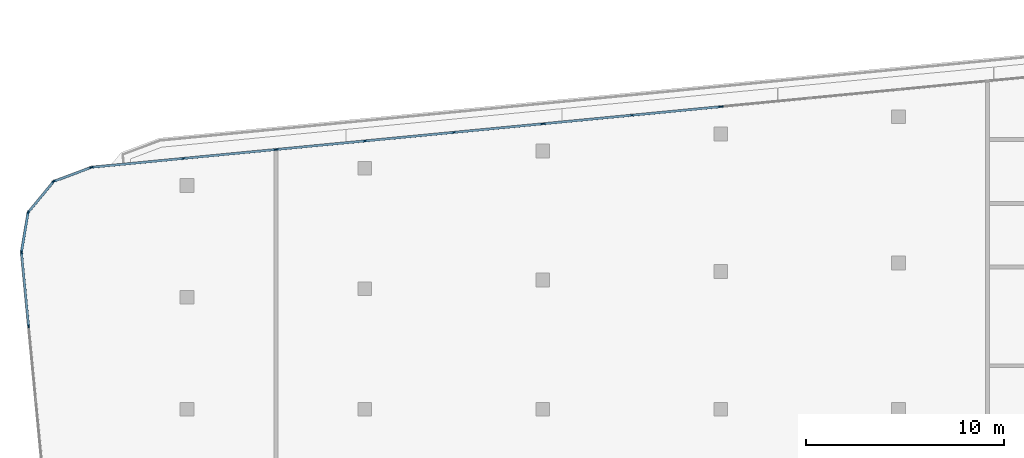
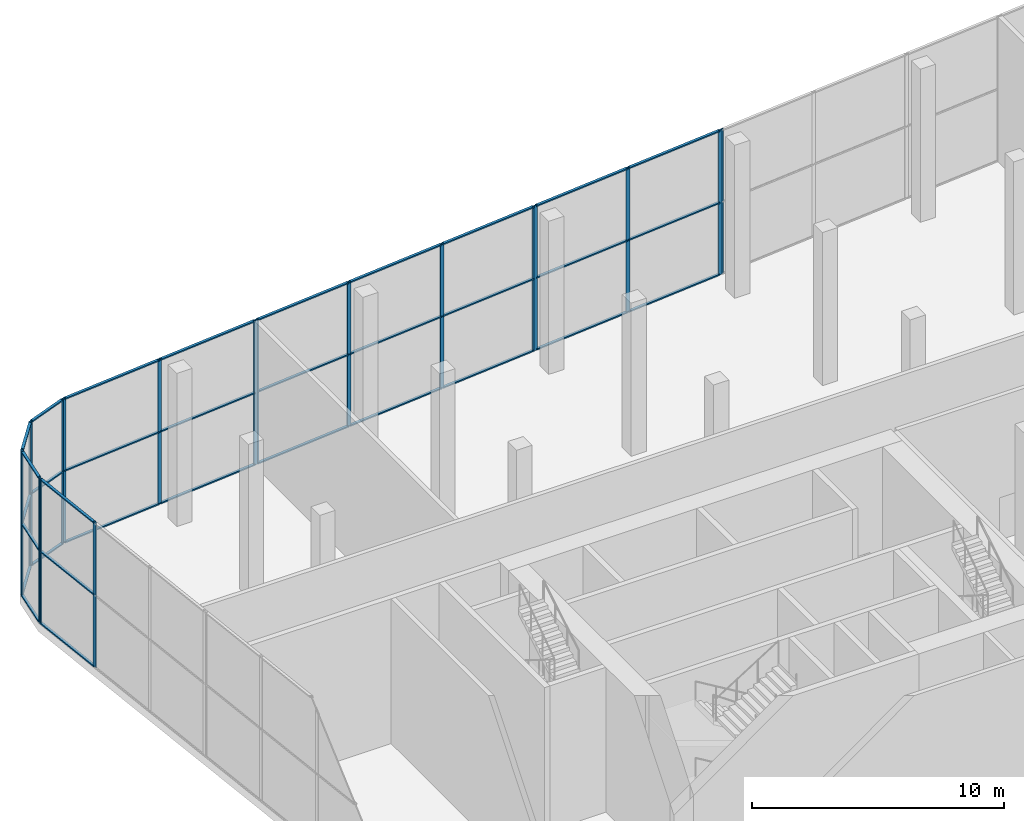
# One storey, part 5 of 25: 52 members, 8 elements without a shape of their own.
"""IFC4 building model written with IfcOpenShell, lengths in metres."""

from ifc_helpers import new_model, si_unit, direction, frame, origin, origin_2d, place, context, subcontext, project, spatial, rectangle, extrude, material, material_profile, profile_set, type_object, element, aggregate, save


model = new_model("IFC4")

# Units and contexts
model_context = context("Model", 3, precision=1e-05, world=origin(), true_north=direction((0.0, 1.0)))
body_context = subcontext(model_context, "Body", "Model", "MODEL_VIEW")
ifc_project = project(units=[si_unit("LENGTHUNIT", "METRE"), si_unit("AREAUNIT", "SQUARE_METRE"), si_unit("VOLUMEUNIT", "CUBIC_METRE"), si_unit("PLANEANGLEUNIT", "RADIAN"), si_unit("MASSUNIT", "GRAM", prefix="KILO")], contexts=[model_context])

# Site, building, storey
site_placement = place(None, origin())
site = spatial("IfcSite", under=ifc_project, at=site_placement, CompositionType="ELEMENT")
building_placement = place(site_placement, origin())
building = spatial("IfcBuilding", under=site, at=building_placement, Name="Kajstack Hotel Tower", CompositionType="ELEMENT")
storey_placement = place(building_placement, frame((0.0, 0.0, 155.0)))
storey = spatial("IfcBuildingStorey", under=building, at=storey_placement, Name="L36", CompositionType="ELEMENT", Elevation=155.0)

# Curtain wall, members
ifc_material_1 = material(Name="Aluminium-framed curtain wall, insulated glass with fritted edge", Category="aluminium")
curtain_wall_type = type_object("IfcCurtainWallType", Name="CW-SPA", PredefinedType="NOTDEFINED", material=ifc_material_1)
curtain_wall_1_placement = place(storey_placement, origin())
curtain_wall_1 = element("IfcCurtainWall", 1, at=curtain_wall_1_placement, inside=storey, type_object=curtain_wall_type, Name="Curtain wall CU7 L36-00-00-0", PredefinedType="NOTDEFINED")
ifc_material_2 = material(Name="Aluminium", Category="aluminium")
ifc_material_profile_1 = material_profile(ifc_material_2, rectangle(XDim=0.06005859375, YDim=0.179931640625, at=origin_2d()), Name="Aluminium mullion 60 x 180")
ifc_profile_set_1 = profile_set([ifc_material_profile_1], Name="Aluminium")
member_type_1 = type_object("IfcMemberType", Name="CW-M-SPA", PredefinedType="MULLION", material=ifc_profile_set_1)
member_1_placement = place(storey_placement, frame((-44.36083984375, 12.42138671875, 0.0), z_axis=(0.0, 0.0, 1.0), x_axis=(0.995396334107, 0.095844342793, 0.0)))
member_1 = element("IfcMember", 2, at=member_1_placement, type_object=member_type_1, Name="CU7 mullion 1", PredefinedType="MULLION", context=body_context, shape_type="SweptSolid", body=[
    extrude(rectangle(XDim=0.06005859375, YDim=0.179931640625, at=origin_2d()), origin(), (0.0, 0.0, 1.0), 7.0),
])
member_2_placement = place(storey_placement, frame((-44.002685546875, 8.703369140625, 0.0), z_axis=(0.0, 0.0, 1.0), x_axis=(0.995396334107, 0.095844342793, 0.0)))
member_2 = element("IfcMember", 3, at=member_2_placement, type_object=member_type_1, Name="CU7 mullion 2", PredefinedType="MULLION", context=body_context, shape_type="SweptSolid", body=[
    extrude(rectangle(XDim=0.06005859375, YDim=0.179931640625, at=origin_2d()), origin(), (0.0, 0.0, 1.0), 7.0),
])

# Curtain wall, member
curtain_wall_2_placement = place(storey_placement, origin())
curtain_wall_2 = element("IfcCurtainWall", 4, at=curtain_wall_2_placement, inside=storey, type_object=curtain_wall_type, Name="Curtain wall CU7 L36-12-02-1", PredefinedType="NOTDEFINED")
member_3_placement = place(storey_placement, frame((-8.962890625, 19.80322265625, 0.0), z_axis=(0.0, 0.0, 1.0), x_axis=(0.095845372418, -0.995396234967, 0.0)))
member_3 = element("IfcMember", 5, at=member_3_placement, type_object=member_type_1, Name="CU7 mullion 4", PredefinedType="MULLION", context=body_context, shape_type="SweptSolid", body=[
    extrude(rectangle(XDim=0.06005859375, YDim=0.179931640625, at=origin_2d()), origin(), (0.0, 0.0, 1.0), 7.0),
])
aggregate(curtain_wall_2, [member_3])

# Curtain wall, members
curtain_wall_3_placement = place(storey_placement, origin())
curtain_wall_3 = element("IfcCurtainWall", 6, at=curtain_wall_3_placement, inside=storey, type_object=curtain_wall_type, Name="Curtain wall CU7 L36-12-02-2", PredefinedType="NOTDEFINED")
member_4_placement = place(storey_placement, frame((-9.022705078125, 19.79736328125, 0.0), z_axis=(0.0, 0.0, 1.0), x_axis=(0.095845342936, -0.995396237806, 0.0)))
member_4 = element("IfcMember", 7, at=member_4_placement, type_object=member_type_1, Name="CU7 mullion 1", PredefinedType="MULLION", context=body_context, shape_type="SweptSolid", body=[
    extrude(rectangle(XDim=0.06005859375, YDim=0.179931640625, at=origin_2d()), origin(), (0.0, 0.0, 1.0), 7.0),
])
member_5_placement = place(storey_placement, frame((-13.49267578125, 19.366943359375, 0.0), z_axis=(0.0, 0.0, 1.0), x_axis=(0.095845342936, -0.995396237806, 0.0)))
member_5 = element("IfcMember", 8, at=member_5_placement, type_object=member_type_1, Name="CU7 mullion 2", PredefinedType="MULLION", context=body_context, shape_type="SweptSolid", body=[
    extrude(rectangle(XDim=0.06005859375, YDim=0.179931640625, at=origin_2d()), origin(), (0.0, 0.0, 1.0), 7.0),
])
member_6_placement = place(storey_placement, frame((-17.962890625, 18.9365234375, 0.0), z_axis=(0.0, 0.0, 1.0), x_axis=(0.095845342936, -0.995396237806, 0.0)))
member_6 = element("IfcMember", 9, at=member_6_placement, type_object=member_type_1, Name="CU7 mullion 3", PredefinedType="MULLION", context=body_context, shape_type="SweptSolid", body=[
    extrude(rectangle(XDim=0.06005859375, YDim=0.179931640625, at=origin_2d()), origin(), (0.0, 0.0, 1.0), 7.0),
])

curtain_wall_4_placement = place(storey_placement, origin())
curtain_wall_4 = element("IfcCurtainWall", 10, at=curtain_wall_4_placement, inside=storey, type_object=curtain_wall_type, Name="Curtain wall CU7 L36-12-02-3", PredefinedType="NOTDEFINED")
member_7_placement = place(storey_placement, frame((-18.022705078125, 18.930908203125, 0.0), z_axis=(0.0, 0.0, 1.0), x_axis=(0.09584533352, -0.995396238712, 0.0)))
member_7 = element("IfcMember", 11, at=member_7_placement, type_object=member_type_1, Name="CU7 mullion 1", PredefinedType="MULLION", context=body_context, shape_type="SweptSolid", body=[
    extrude(rectangle(XDim=0.06005859375, YDim=0.179931640625, at=origin_2d()), origin(), (0.0, 0.0, 1.0), 7.0),
])
member_8_placement = place(storey_placement, frame((-22.49267578125, 18.50048828125, 0.0), z_axis=(0.0, 0.0, 1.0), x_axis=(0.09584533352, -0.995396238712, 0.0)))
member_8 = element("IfcMember", 12, at=member_8_placement, type_object=member_type_1, Name="CU7 mullion 2", PredefinedType="MULLION", context=body_context, shape_type="SweptSolid", body=[
    extrude(rectangle(XDim=0.06005859375, YDim=0.179931640625, at=origin_2d()), origin(), (0.0, 0.0, 1.0), 7.0),
])
member_9_placement = place(storey_placement, frame((-26.99267578125, 18.067138671875, 0.0), z_axis=(0.0, 0.0, 1.0), x_axis=(0.09584533352, -0.995396238712, 0.0)))
member_9 = element("IfcMember", 13, at=member_9_placement, type_object=member_type_1, Name="CU7 mullion 3", PredefinedType="MULLION", context=body_context, shape_type="SweptSolid", body=[
    extrude(rectangle(XDim=0.06005859375, YDim=0.179931640625, at=origin_2d()), origin(), (0.0, 0.0, 1.0), 7.0),
])
member_10_placement = place(storey_placement, frame((-31.462890625, 17.63671875, 0.0), z_axis=(0.0, 0.0, 1.0), x_axis=(0.09584533352, -0.995396238712, 0.0)))
member_10 = element("IfcMember", 14, at=member_10_placement, type_object=member_type_1, Name="CU7 mullion 4", PredefinedType="MULLION", context=body_context, shape_type="SweptSolid", body=[
    extrude(rectangle(XDim=0.06005859375, YDim=0.179931640625, at=origin_2d()), origin(), (0.0, 0.0, 1.0), 7.0),
])

curtain_wall_5_placement = place(storey_placement, origin())
curtain_wall_5 = element("IfcCurtainWall", 15, at=curtain_wall_5_placement, inside=storey, type_object=curtain_wall_type, Name="Curtain wall CU7 L36-12-02-4", PredefinedType="NOTDEFINED")
member_11_placement = place(storey_placement, frame((-31.522705078125, 17.630859375, 0.0), z_axis=(0.0, 0.0, 1.0), x_axis=(0.095845399936, -0.995396232317, 0.0)))
member_11 = element("IfcMember", 16, at=member_11_placement, type_object=member_type_1, Name="CU7 mullion 1", PredefinedType="MULLION", context=body_context, shape_type="SweptSolid", body=[
    extrude(rectangle(XDim=0.06005859375, YDim=0.179931640625, at=origin_2d()), origin(), (0.0, 0.0, 1.0), 7.0),
])
member_12_placement = place(storey_placement, frame((-36.162841796875, 17.18408203125, 0.0), z_axis=(0.0, 0.0, 1.0), x_axis=(0.095845399936, -0.995396232317, 0.0)))
member_12 = element("IfcMember", 17, at=member_12_placement, type_object=member_type_1, Name="CU7 mullion 2", PredefinedType="MULLION", context=body_context, shape_type="SweptSolid", body=[
    extrude(rectangle(XDim=0.06005859375, YDim=0.179931640625, at=origin_2d()), origin(), (0.0, 0.0, 1.0), 7.0),
])
member_13_placement = place(storey_placement, frame((-40.802978515625, 16.7373046875, 0.0), z_axis=(0.0, 0.0, 1.0), x_axis=(0.095845399936, -0.995396232317, 0.0)))
member_13 = element("IfcMember", 18, at=member_13_placement, type_object=member_type_1, Name="CU7 mullion 3", PredefinedType="MULLION", context=body_context, shape_type="SweptSolid", body=[
    extrude(rectangle(XDim=0.06005859375, YDim=0.179931640625, at=origin_2d()), origin(), (0.0, 0.0, 1.0), 7.0),
])

curtain_wall_6_placement = place(storey_placement, origin())
curtain_wall_6 = element("IfcCurtainWall", 19, at=curtain_wall_6_placement, inside=storey, type_object=curtain_wall_type, Name="Curtain wall CU7 L36-13-00-0", PredefinedType="NOTDEFINED")
member_14_placement = place(storey_placement, frame((-40.842041015625, 16.728271484375, 0.0), z_axis=(0.0, 0.0, 1.0), x_axis=(0.3502023187, -0.936674082046, 0.0)))
member_14 = element("IfcMember", 20, at=member_14_placement, type_object=member_type_1, Name="CU7 mullion 1", PredefinedType="MULLION", context=body_context, shape_type="SweptSolid", body=[
    extrude(rectangle(XDim=0.06005859375, YDim=0.179931640625, at=origin_2d()), origin(), (0.0, 0.0, 1.0), 7.0),
])
member_15_placement = place(storey_placement, frame((-42.72509765625, 16.024169921875, 0.0), z_axis=(0.0, 0.0, 1.0), x_axis=(0.3502023187, -0.936674082046, 0.0)))
member_15 = element("IfcMember", 21, at=member_15_placement, type_object=member_type_1, Name="CU7 mullion 2", PredefinedType="MULLION", context=body_context, shape_type="SweptSolid", body=[
    extrude(rectangle(XDim=0.06005859375, YDim=0.179931640625, at=origin_2d()), origin(), (0.0, 0.0, 1.0), 7.0),
])

curtain_wall_7_placement = place(storey_placement, origin())
curtain_wall_7 = element("IfcCurtainWall", 22, at=curtain_wall_7_placement, inside=storey, type_object=curtain_wall_type, Name="Curtain wall CU7 L36-14-00-0", PredefinedType="NOTDEFINED")
member_16_placement = place(storey_placement, frame((-42.74072265625, 16.01318359375, 0.0), z_axis=(0.0, 0.0, 1.0), x_axis=(0.771610892698, -0.636094828048, 0.0)))
member_16 = element("IfcMember", 23, at=member_16_placement, type_object=member_type_1, Name="CU7 mullion 1", PredefinedType="MULLION", context=body_context, shape_type="SweptSolid", body=[
    extrude(rectangle(XDim=0.06005859375, YDim=0.179931640625, at=origin_2d()), origin(), (0.0, 0.0, 1.0), 7.0),
])
member_17_placement = place(storey_placement, frame((-44.01953125, 14.461669921875, 0.0), z_axis=(0.0, 0.0, 1.0), x_axis=(0.771610892698, -0.636094828048, 0.0)))
member_17 = element("IfcMember", 24, at=member_17_placement, type_object=member_type_1, Name="CU7 mullion 2", PredefinedType="MULLION", context=body_context, shape_type="SweptSolid", body=[
    extrude(rectangle(XDim=0.06005859375, YDim=0.179931640625, at=origin_2d()), origin(), (0.0, 0.0, 1.0), 7.0),
])

curtain_wall_8_placement = place(storey_placement, origin())
curtain_wall_8 = element("IfcCurtainWall", 25, at=curtain_wall_8_placement, inside=storey, type_object=curtain_wall_type, Name="Curtain wall CU7 L36-15-00-0", PredefinedType="NOTDEFINED")
member_18_placement = place(storey_placement, frame((-44.027587890625, 14.4443359375, 0.0), z_axis=(0.0, 0.0, 1.0), x_axis=(0.986289302298, -0.165025489464, 0.0)))
member_18 = element("IfcMember", 26, at=member_18_placement, type_object=member_type_1, Name="CU7 mullion 1", PredefinedType="MULLION", context=body_context, shape_type="SweptSolid", body=[
    extrude(rectangle(XDim=0.06005859375, YDim=0.179931640625, at=origin_2d()), origin(), (0.0, 0.0, 1.0), 7.0),
])
member_19_placement = place(storey_placement, frame((-44.359375, 12.46142578125, 0.0), z_axis=(0.0, 0.0, 1.0), x_axis=(0.986289302298, -0.165025489464, 0.0)))
member_19 = element("IfcMember", 27, at=member_19_placement, type_object=member_type_1, Name="CU7 mullion 2", PredefinedType="MULLION", context=body_context, shape_type="SweptSolid", body=[
    extrude(rectangle(XDim=0.06005859375, YDim=0.179931640625, at=origin_2d()), origin(), (0.0, 0.0, 1.0), 7.0),
])

# Member
ifc_material_profile_2 = material_profile(ifc_material_2, rectangle(XDim=0.1201171875, YDim=0.06005859375, at=origin_2d()), Name="Aluminium transom 120 x 60")
ifc_profile_set_2 = profile_set([ifc_material_profile_2], Name="Aluminium")
member_type_2 = type_object("IfcMemberType", Name="CW-T-SPA", PredefinedType="USERDEFINED", material=ifc_profile_set_2)
member_20_placement = place(storey_placement, frame((-44.35791015625, 12.3916015625, 0.030029296875), z_axis=(0.095852900965, -0.995395510024, 0.0), x_axis=(0.995395510024, 0.095852900965, 0.0)))
member_20 = element("IfcMember", 28, at=member_20_placement, type_object=member_type_2, Name="CU7 transom 1.1", ObjectType="TRANSOM", PredefinedType="USERDEFINED", context=body_context, shape_type="SweptSolid", body=[
    extrude(rectangle(XDim=0.1201171875, YDim=0.06005859375, at=origin_2d()), origin(), (0.0, 0.0, 1.0), 3.67529296875),
])

member_21_placement = place(storey_placement, frame((-44.35791015625, 12.3916015625, 3.5), z_axis=(0.095852900965, -0.995395510024, 0.0), x_axis=(0.995395510024, 0.095852900965, 0.0)))
member_21 = element("IfcMember", 29, at=member_21_placement, type_object=member_type_2, Name="CU7 transom 1.2", ObjectType="TRANSOM", PredefinedType="USERDEFINED", context=body_context, shape_type="SweptSolid", body=[
    extrude(rectangle(XDim=0.1201171875, YDim=0.06005859375, at=origin_2d()), origin(), (0.0, 0.0, 1.0), 3.67529296875),
])

member_22_placement = place(storey_placement, frame((-44.35791015625, 12.3916015625, 6.969970703125), z_axis=(0.095852900965, -0.995395510024, 0.0), x_axis=(0.995395510024, 0.095852900965, 0.0)))
member_22 = element("IfcMember", 30, at=member_22_placement, type_object=member_type_2, Name="CU7 transom 1.3", ObjectType="TRANSOM", PredefinedType="USERDEFINED", context=body_context, shape_type="SweptSolid", body=[
    extrude(rectangle(XDim=0.1201171875, YDim=0.06005859375, at=origin_2d()), origin(), (0.0, 0.0, 1.0), 3.67529296875),
])

aggregate(curtain_wall_1, [member_1, member_2, member_20, member_21, member_22])

member_23_placement = place(storey_placement, frame((-9.052490234375, 19.79443359375, 0.030029296875), z_axis=(-0.995398624916, -0.095820548504, 0.0), x_axis=(0.095820548504, -0.995398624916, 0.0)))
member_23 = element("IfcMember", 31, at=member_23_placement, type_object=member_type_2, Name="CU7 transom 1.1", ObjectType="TRANSOM", PredefinedType="USERDEFINED", context=body_context, shape_type="SweptSolid", body=[
    extrude(rectangle(XDim=0.1201171875, YDim=0.06005859375, at=origin_2d()), origin(), (0.0, 0.0, 1.0), 4.430908203125),
])

member_24_placement = place(storey_placement, frame((-9.052490234375, 19.79443359375, 3.5), z_axis=(-0.995398624916, -0.095820548504, 0.0), x_axis=(0.095820548504, -0.995398624916, 0.0)))
member_24 = element("IfcMember", 32, at=member_24_placement, type_object=member_type_2, Name="CU7 transom 1.2", ObjectType="TRANSOM", PredefinedType="USERDEFINED", context=body_context, shape_type="SweptSolid", body=[
    extrude(rectangle(XDim=0.1201171875, YDim=0.06005859375, at=origin_2d()), origin(), (0.0, 0.0, 1.0), 4.430908203125),
])

member_25_placement = place(storey_placement, frame((-9.052490234375, 19.79443359375, 6.969970703125), z_axis=(-0.995398624916, -0.095820548504, 0.0), x_axis=(0.095820548504, -0.995398624916, 0.0)))
member_25 = element("IfcMember", 33, at=member_25_placement, type_object=member_type_2, Name="CU7 transom 1.3", ObjectType="TRANSOM", PredefinedType="USERDEFINED", context=body_context, shape_type="SweptSolid", body=[
    extrude(rectangle(XDim=0.1201171875, YDim=0.06005859375, at=origin_2d()), origin(), (0.0, 0.0, 1.0), 4.430908203125),
])

member_26_placement = place(storey_placement, frame((-13.522705078125, 19.364013671875, 0.030029296875), z_axis=(-0.995398624916, -0.095820548504, 0.0), x_axis=(0.095820548504, -0.995398624916, 0.0)))
member_26 = element("IfcMember", 34, at=member_26_placement, type_object=member_type_2, Name="CU7 transom 2.1", ObjectType="TRANSOM", PredefinedType="USERDEFINED", context=body_context, shape_type="SweptSolid", body=[
    extrude(rectangle(XDim=0.1201171875, YDim=0.06005859375, at=origin_2d()), origin(), (0.0, 0.0, 1.0), 4.430908203125),
])

member_27_placement = place(storey_placement, frame((-13.522705078125, 19.364013671875, 3.5), z_axis=(-0.995398624916, -0.095820548504, 0.0), x_axis=(0.095820548504, -0.995398624916, 0.0)))
member_27 = element("IfcMember", 35, at=member_27_placement, type_object=member_type_2, Name="CU7 transom 2.2", ObjectType="TRANSOM", PredefinedType="USERDEFINED", context=body_context, shape_type="SweptSolid", body=[
    extrude(rectangle(XDim=0.1201171875, YDim=0.06005859375, at=origin_2d()), origin(), (0.0, 0.0, 1.0), 4.430908203125),
])

member_28_placement = place(storey_placement, frame((-13.522705078125, 19.364013671875, 6.969970703125), z_axis=(-0.995398624916, -0.095820548504, 0.0), x_axis=(0.095820548504, -0.995398624916, 0.0)))
member_28 = element("IfcMember", 36, at=member_28_placement, type_object=member_type_2, Name="CU7 transom 2.3", ObjectType="TRANSOM", PredefinedType="USERDEFINED", context=body_context, shape_type="SweptSolid", body=[
    extrude(rectangle(XDim=0.1201171875, YDim=0.06005859375, at=origin_2d()), origin(), (0.0, 0.0, 1.0), 4.430908203125),
])

aggregate(curtain_wall_3, [member_4, member_5, member_6, member_23, member_24, member_25, member_26, member_27, member_28])

member_29_placement = place(storey_placement, frame((-18.052490234375, 18.927978515625, 0.030029296875), z_axis=(-0.995393367938, -0.095875143106, 0.0), x_axis=(0.095875143106, -0.995393367938, 0.0)))
member_29 = element("IfcMember", 37, at=member_29_placement, type_object=member_type_2, Name="CU7 transom 1.1", ObjectType="TRANSOM", PredefinedType="USERDEFINED", context=body_context, shape_type="SweptSolid", body=[
    extrude(rectangle(XDim=0.1201171875, YDim=0.06005859375, at=origin_2d()), origin(), (0.0, 0.0, 1.0), 4.430908203125),
])

member_30_placement = place(storey_placement, frame((-18.052490234375, 18.927978515625, 3.5), z_axis=(-0.995393367938, -0.095875143106, 0.0), x_axis=(0.095875143106, -0.995393367938, 0.0)))
member_30 = element("IfcMember", 38, at=member_30_placement, type_object=member_type_2, Name="CU7 transom 1.2", ObjectType="TRANSOM", PredefinedType="USERDEFINED", context=body_context, shape_type="SweptSolid", body=[
    extrude(rectangle(XDim=0.1201171875, YDim=0.06005859375, at=origin_2d()), origin(), (0.0, 0.0, 1.0), 4.430908203125),
])

member_31_placement = place(storey_placement, frame((-18.052490234375, 18.927978515625, 6.969970703125), z_axis=(-0.995393367938, -0.095875143106, 0.0), x_axis=(0.095875143106, -0.995393367938, 0.0)))
member_31 = element("IfcMember", 39, at=member_31_placement, type_object=member_type_2, Name="CU7 transom 1.3", ObjectType="TRANSOM", PredefinedType="USERDEFINED", context=body_context, shape_type="SweptSolid", body=[
    extrude(rectangle(XDim=0.1201171875, YDim=0.06005859375, at=origin_2d()), origin(), (0.0, 0.0, 1.0), 4.430908203125),
])

member_32_placement = place(storey_placement, frame((-22.522705078125, 18.49755859375, 0.030029296875), z_axis=(-0.995397289199, -0.095834423126, 0.0), x_axis=(0.095834423126, -0.995397289199, 0.0)))
member_32 = element("IfcMember", 40, at=member_32_placement, type_object=member_type_2, Name="CU7 transom 2.1", ObjectType="TRANSOM", PredefinedType="USERDEFINED", context=body_context, shape_type="SweptSolid", body=[
    extrude(rectangle(XDim=0.1201171875, YDim=0.06005859375, at=origin_2d()), origin(), (0.0, 0.0, 1.0), 4.460693359375),
])

member_33_placement = place(storey_placement, frame((-22.522705078125, 18.49755859375, 3.5), z_axis=(-0.995397289199, -0.095834423126, 0.0), x_axis=(0.095834423126, -0.995397289199, 0.0)))
member_33 = element("IfcMember", 41, at=member_33_placement, type_object=member_type_2, Name="CU7 transom 2.2", ObjectType="TRANSOM", PredefinedType="USERDEFINED", context=body_context, shape_type="SweptSolid", body=[
    extrude(rectangle(XDim=0.1201171875, YDim=0.06005859375, at=origin_2d()), origin(), (0.0, 0.0, 1.0), 4.460693359375),
])

member_34_placement = place(storey_placement, frame((-22.522705078125, 18.49755859375, 6.969970703125), z_axis=(-0.995397289199, -0.095834423126, 0.0), x_axis=(0.095834423126, -0.995397289199, 0.0)))
member_34 = element("IfcMember", 42, at=member_34_placement, type_object=member_type_2, Name="CU7 transom 2.3", ObjectType="TRANSOM", PredefinedType="USERDEFINED", context=body_context, shape_type="SweptSolid", body=[
    extrude(rectangle(XDim=0.1201171875, YDim=0.06005859375, at=origin_2d()), origin(), (0.0, 0.0, 1.0), 4.460693359375),
])

member_35_placement = place(storey_placement, frame((-27.022705078125, 18.064208984375, 0.030029296875), z_axis=(-0.995398624916, -0.095820548504, 0.0), x_axis=(0.095820548504, -0.995398624916, 0.0)))
member_35 = element("IfcMember", 43, at=member_35_placement, type_object=member_type_2, Name="CU7 transom 3.1", ObjectType="TRANSOM", PredefinedType="USERDEFINED", context=body_context, shape_type="SweptSolid", body=[
    extrude(rectangle(XDim=0.1201171875, YDim=0.06005859375, at=origin_2d()), origin(), (0.0, 0.0, 1.0), 4.430908203125),
])

member_36_placement = place(storey_placement, frame((-27.022705078125, 18.064208984375, 3.5), z_axis=(-0.995398624916, -0.095820548504, 0.0), x_axis=(0.095820548504, -0.995398624916, 0.0)))
member_36 = element("IfcMember", 44, at=member_36_placement, type_object=member_type_2, Name="CU7 transom 3.2", ObjectType="TRANSOM", PredefinedType="USERDEFINED", context=body_context, shape_type="SweptSolid", body=[
    extrude(rectangle(XDim=0.1201171875, YDim=0.06005859375, at=origin_2d()), origin(), (0.0, 0.0, 1.0), 4.430908203125),
])

member_37_placement = place(storey_placement, frame((-27.022705078125, 18.064208984375, 6.969970703125), z_axis=(-0.995398624916, -0.095820548504, 0.0), x_axis=(0.095820548504, -0.995398624916, 0.0)))
member_37 = element("IfcMember", 45, at=member_37_placement, type_object=member_type_2, Name="CU7 transom 3.3", ObjectType="TRANSOM", PredefinedType="USERDEFINED", context=body_context, shape_type="SweptSolid", body=[
    extrude(rectangle(XDim=0.1201171875, YDim=0.06005859375, at=origin_2d()), origin(), (0.0, 0.0, 1.0), 4.430908203125),
])

aggregate(curtain_wall_4, [member_7, member_8, member_9, member_10, member_29, member_30, member_31, member_32, member_33, member_34, member_35, member_36, member_37])

member_38_placement = place(storey_placement, frame((-31.552490234375, 17.6279296875, 0.030029296875), z_axis=(-0.995399108941, -0.09581552024, 0.0), x_axis=(0.09581552024, -0.995399108941, 0.0)))
member_38 = element("IfcMember", 46, at=member_38_placement, type_object=member_type_2, Name="CU7 transom 1.1", ObjectType="TRANSOM", PredefinedType="USERDEFINED", context=body_context, shape_type="SweptSolid", body=[
    extrude(rectangle(XDim=0.1201171875, YDim=0.06005859375, at=origin_2d()), origin(), (0.0, 0.0, 1.0), 4.601806640625),
])

member_39_placement = place(storey_placement, frame((-31.552490234375, 17.6279296875, 3.5), z_axis=(-0.995399108941, -0.09581552024, 0.0), x_axis=(0.09581552024, -0.995399108941, 0.0)))
member_39 = element("IfcMember", 47, at=member_39_placement, type_object=member_type_2, Name="CU7 transom 1.2", ObjectType="TRANSOM", PredefinedType="USERDEFINED", context=body_context, shape_type="SweptSolid", body=[
    extrude(rectangle(XDim=0.1201171875, YDim=0.06005859375, at=origin_2d()), origin(), (0.0, 0.0, 1.0), 4.601806640625),
])

member_40_placement = place(storey_placement, frame((-31.552490234375, 17.6279296875, 6.969970703125), z_axis=(-0.995399108941, -0.09581552024, 0.0), x_axis=(0.09581552024, -0.995399108941, 0.0)))
member_40 = element("IfcMember", 48, at=member_40_placement, type_object=member_type_2, Name="CU7 transom 1.3", ObjectType="TRANSOM", PredefinedType="USERDEFINED", context=body_context, shape_type="SweptSolid", body=[
    extrude(rectangle(XDim=0.1201171875, YDim=0.06005859375, at=origin_2d()), origin(), (0.0, 0.0, 1.0), 4.601806640625),
])

member_41_placement = place(storey_placement, frame((-36.192626953125, 17.18115234375, 0.030029296875), z_axis=(-0.995399108941, -0.09581552024, 0.0), x_axis=(0.09581552024, -0.995399108941, 0.0)))
member_41 = element("IfcMember", 49, at=member_41_placement, type_object=member_type_2, Name="CU7 transom 2.1", ObjectType="TRANSOM", PredefinedType="USERDEFINED", context=body_context, shape_type="SweptSolid", body=[
    extrude(rectangle(XDim=0.1201171875, YDim=0.06005859375, at=origin_2d()), origin(), (0.0, 0.0, 1.0), 4.601806640625),
])

member_42_placement = place(storey_placement, frame((-36.192626953125, 17.18115234375, 3.5), z_axis=(-0.995399108941, -0.09581552024, 0.0), x_axis=(0.09581552024, -0.995399108941, 0.0)))
member_42 = element("IfcMember", 50, at=member_42_placement, type_object=member_type_2, Name="CU7 transom 2.2", ObjectType="TRANSOM", PredefinedType="USERDEFINED", context=body_context, shape_type="SweptSolid", body=[
    extrude(rectangle(XDim=0.1201171875, YDim=0.06005859375, at=origin_2d()), origin(), (0.0, 0.0, 1.0), 4.601806640625),
])

member_43_placement = place(storey_placement, frame((-36.192626953125, 17.18115234375, 6.969970703125), z_axis=(-0.995399108941, -0.09581552024, 0.0), x_axis=(0.09581552024, -0.995399108941, 0.0)))
member_43 = element("IfcMember", 51, at=member_43_placement, type_object=member_type_2, Name="CU7 transom 2.3", ObjectType="TRANSOM", PredefinedType="USERDEFINED", context=body_context, shape_type="SweptSolid", body=[
    extrude(rectangle(XDim=0.1201171875, YDim=0.06005859375, at=origin_2d()), origin(), (0.0, 0.0, 1.0), 4.601806640625),
])

aggregate(curtain_wall_5, [member_11, member_12, member_13, member_38, member_39, member_40, member_41, member_42, member_43])

member_44_placement = place(storey_placement, frame((-40.8701171875, 16.7177734375, 0.030029296875), z_axis=(-0.936663116963, -0.350231645231, 0.0), x_axis=(0.350231645231, -0.936663116963, 0.0)))
member_44 = element("IfcMember", 52, at=member_44_placement, type_object=member_type_2, Name="CU7 transom 1.1", ObjectType="TRANSOM", PredefinedType="USERDEFINED", context=body_context, shape_type="SweptSolid", body=[
    extrude(rectangle(XDim=0.1201171875, YDim=0.06005859375, at=origin_2d()), origin(), (0.0, 0.0, 1.0), 1.950439453125),
])

member_45_placement = place(storey_placement, frame((-40.8701171875, 16.7177734375, 3.5), z_axis=(-0.936663116963, -0.350231645231, 0.0), x_axis=(0.350231645231, -0.936663116963, 0.0)))
member_45 = element("IfcMember", 53, at=member_45_placement, type_object=member_type_2, Name="CU7 transom 1.2", ObjectType="TRANSOM", PredefinedType="USERDEFINED", context=body_context, shape_type="SweptSolid", body=[
    extrude(rectangle(XDim=0.1201171875, YDim=0.06005859375, at=origin_2d()), origin(), (0.0, 0.0, 1.0), 1.950439453125),
])

member_46_placement = place(storey_placement, frame((-40.8701171875, 16.7177734375, 6.969970703125), z_axis=(-0.936663116963, -0.350231645231, 0.0), x_axis=(0.350231645231, -0.936663116963, 0.0)))
member_46 = element("IfcMember", 54, at=member_46_placement, type_object=member_type_2, Name="CU7 transom 1.3", ObjectType="TRANSOM", PredefinedType="USERDEFINED", context=body_context, shape_type="SweptSolid", body=[
    extrude(rectangle(XDim=0.1201171875, YDim=0.06005859375, at=origin_2d()), origin(), (0.0, 0.0, 1.0), 1.950439453125),
])

aggregate(curtain_wall_6, [member_14, member_15, member_44, member_45, member_46])

member_47_placement = place(storey_placement, frame((-42.759765625, 15.989990234375, 0.030029296875), z_axis=(-0.636075700037, -0.771626660907, 0.0), x_axis=(0.771626660907, -0.636075700037, 0.0)))
member_47 = element("IfcMember", 55, at=member_47_placement, type_object=member_type_2, Name="CU7 transom 1.1", ObjectType="TRANSOM", PredefinedType="USERDEFINED", context=body_context, shape_type="SweptSolid", body=[
    extrude(rectangle(XDim=0.1201171875, YDim=0.06005859375, at=origin_2d()), origin(), (0.0, 0.0, 1.0), 1.95068359375),
])

member_48_placement = place(storey_placement, frame((-42.759765625, 15.989990234375, 3.5), z_axis=(-0.636075700037, -0.771626660907, 0.0), x_axis=(0.771626660907, -0.636075700037, 0.0)))
member_48 = element("IfcMember", 56, at=member_48_placement, type_object=member_type_2, Name="CU7 transom 1.2", ObjectType="TRANSOM", PredefinedType="USERDEFINED", context=body_context, shape_type="SweptSolid", body=[
    extrude(rectangle(XDim=0.1201171875, YDim=0.06005859375, at=origin_2d()), origin(), (0.0, 0.0, 1.0), 1.95068359375),
])

member_49_placement = place(storey_placement, frame((-42.759765625, 15.989990234375, 6.969970703125), z_axis=(-0.636075700037, -0.771626660907, 0.0), x_axis=(0.771626660907, -0.636075700037, 0.0)))
member_49 = element("IfcMember", 57, at=member_49_placement, type_object=member_type_2, Name="CU7 transom 1.3", ObjectType="TRANSOM", PredefinedType="USERDEFINED", context=body_context, shape_type="SweptSolid", body=[
    extrude(rectangle(XDim=0.1201171875, YDim=0.06005859375, at=origin_2d()), origin(), (0.0, 0.0, 1.0), 1.95068359375),
])

aggregate(curtain_wall_7, [member_16, member_17, member_47, member_48, member_49])

member_50_placement = place(storey_placement, frame((-44.032470703125, 14.414794921875, 0.030029296875), z_axis=(-0.165089030927, -0.986278668464, 0.0), x_axis=(0.986278668464, -0.165089030927, 0.0)))
member_50 = element("IfcMember", 58, at=member_50_placement, type_object=member_type_2, Name="CU7 transom 1.1", ObjectType="TRANSOM", PredefinedType="USERDEFINED", context=body_context, shape_type="SweptSolid", body=[
    extrude(rectangle(XDim=0.1201171875, YDim=0.06005859375, at=origin_2d()), origin(), (0.0, 0.0, 1.0), 1.95068359375),
])

member_51_placement = place(storey_placement, frame((-44.032470703125, 14.414794921875, 3.5), z_axis=(-0.165089030927, -0.986278668464, 0.0), x_axis=(0.986278668464, -0.165089030927, 0.0)))
member_51 = element("IfcMember", 59, at=member_51_placement, type_object=member_type_2, Name="CU7 transom 1.2", ObjectType="TRANSOM", PredefinedType="USERDEFINED", context=body_context, shape_type="SweptSolid", body=[
    extrude(rectangle(XDim=0.1201171875, YDim=0.06005859375, at=origin_2d()), origin(), (0.0, 0.0, 1.0), 1.95068359375),
])

member_52_placement = place(storey_placement, frame((-44.032470703125, 14.414794921875, 6.969970703125), z_axis=(-0.165089030927, -0.986278668464, 0.0), x_axis=(0.986278668464, -0.165089030927, 0.0)))
member_52 = element("IfcMember", 60, at=member_52_placement, type_object=member_type_2, Name="CU7 transom 1.3", ObjectType="TRANSOM", PredefinedType="USERDEFINED", context=body_context, shape_type="SweptSolid", body=[
    extrude(rectangle(XDim=0.1201171875, YDim=0.06005859375, at=origin_2d()), origin(), (0.0, 0.0, 1.0), 1.95068359375),
])

aggregate(curtain_wall_8, [member_18, member_19, member_50, member_51, member_52])

save(model, "model.ifc")
